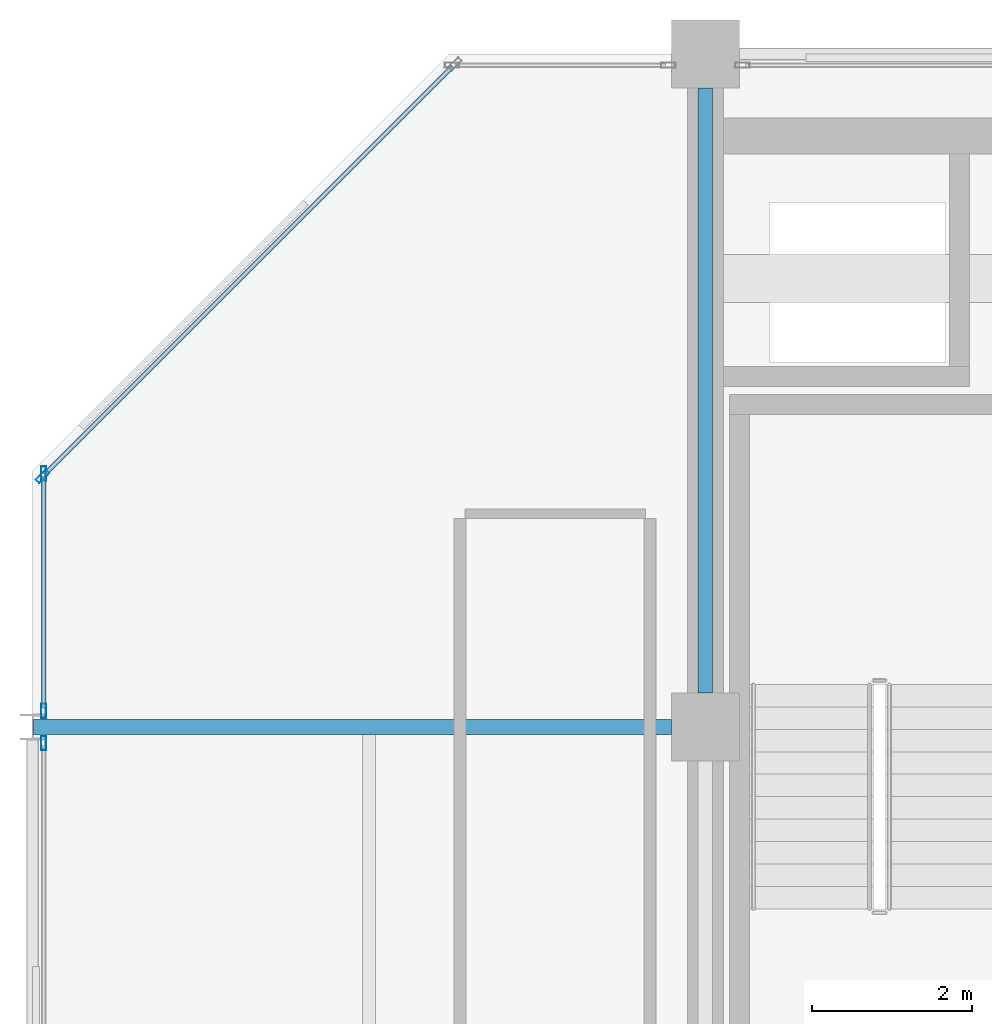
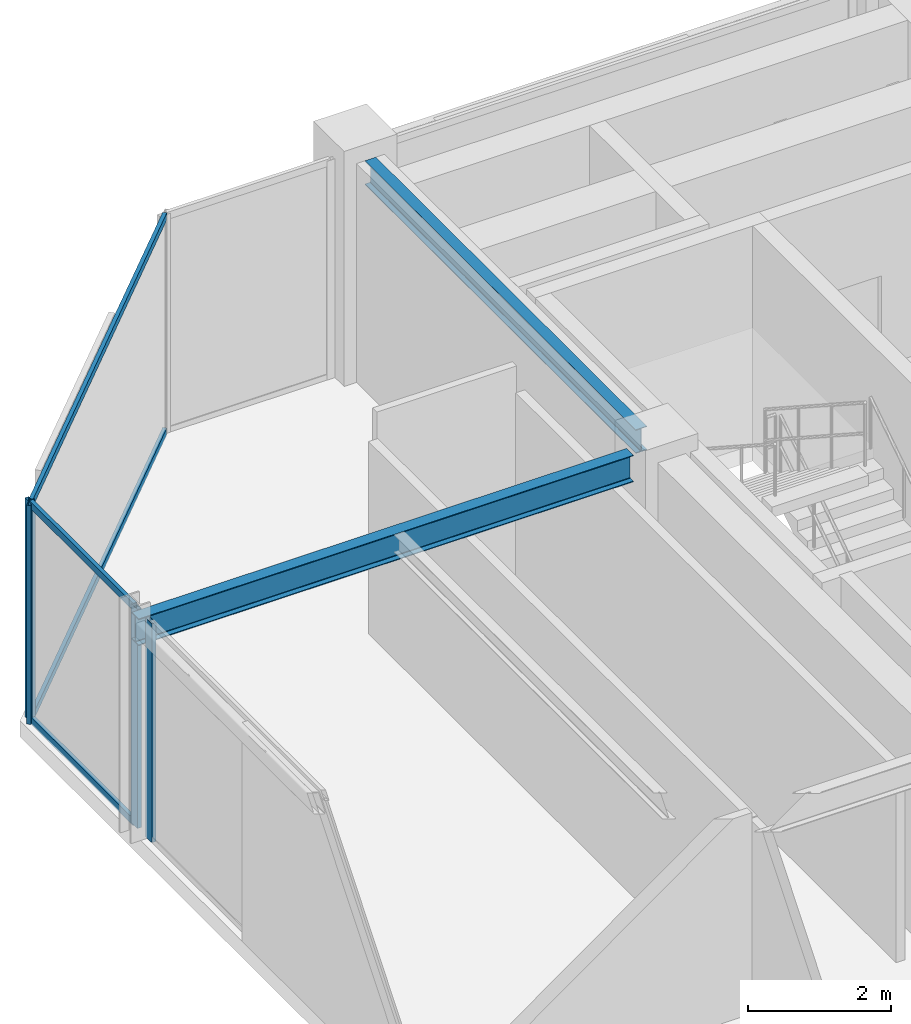
# One storey, part 17 of 26: 8 members, 2 beams, 3 elements without a shape of their own.
"""IFC4 building model written with IfcOpenShell, lengths in metres."""

from ifc_helpers import new_model, si_unit, direction, frame, origin, origin_2d, place, context, subcontext, project, spatial, hollow_rectangle, i_section, extrude, material, layer, layer_set, material_profile, profile_set, type_object, element, aggregate, save


model = new_model("IFC4")

# Units and contexts
model_context = context("Model", 3, precision=1e-05, world=origin(), true_north=direction((0.0, 1.0)))
body_context = subcontext(model_context, "Body", "Model", "MODEL_VIEW")
ifc_project = project(units=[si_unit("LENGTHUNIT", "METRE"), si_unit("AREAUNIT", "SQUARE_METRE"), si_unit("VOLUMEUNIT", "CUBIC_METRE"), si_unit("PLANEANGLEUNIT", "RADIAN"), si_unit("MASSUNIT", "GRAM", prefix="KILO")], contexts=[model_context])

# Site, building, storey
site_placement = place(None, origin())
site = spatial("IfcSite", under=ifc_project, at=site_placement, CompositionType="ELEMENT")
building_placement = place(site_placement, origin())
building = spatial("IfcBuilding", under=site, at=building_placement, Name="Nerrivon Quay Data Exchange", CompositionType="ELEMENT")
storey_placement = place(building_placement, frame((0.0, 0.0, 262.199951171875)))
storey = spatial("IfcBuildingStorey", under=building, at=storey_placement, Name="L62", CompositionType="ELEMENT", Elevation=262.199951171875)

# Beams
ifc_material_1 = material(Name="Steel Grade 350", Category="steel")
ifc_material_profile_1 = material_profile(ifc_material_1, i_section(OverallWidth=0.18994140625, OverallDepth=0.4541015625, WebThickness=0.008544921875, FlangeThickness=0.0126953125, FilletRadius=0.011474609375, at=origin_2d()), Name="460UB67.1")
ifc_profile_set_1 = profile_set([ifc_material_profile_1], Name="Steel Grade 350")
beam_type_1 = type_object("IfcBeamType", Name="BM-G6-460UB67", PredefinedType="BEAM", material=ifc_profile_set_1)
beam_1_placement = place(storey_placement, frame((0.0078125, 33.60009765625, 3.498046875), z_axis=(1.0, 0.0, 0.0), x_axis=(0.0, 1.0, 0.0)))
element("IfcBeam", 1, at=beam_1_placement, inside=storey, type_object=beam_type_1, Name="L62 EW Girder Y=33.6 (0.0..8.4)", PredefinedType="BEAM", context=body_context, shape_type="SweptSolid", body=[
    extrude(i_section(OverallWidth=0.18994140625, OverallDepth=0.4541015625, WebThickness=0.008544921875, FlangeThickness=0.0126953125, FilletRadius=0.011474609375, at=origin_2d()), origin(), (0.0, 0.0, 1.0), 7.96728515625),
])
ifc_material_profile_2 = material_profile(ifc_material_1, i_section(OverallWidth=0.177978515625, OverallDepth=0.406005859375, WebThickness=0.0078125, FlangeThickness=0.0126953125, FilletRadius=0.011474609375, at=origin_2d()), Name="410UB59.7")
ifc_profile_set_2 = profile_set([ifc_material_profile_2], Name="Steel Grade 350")
beam_type_2 = type_object("IfcBeamType", Name="BM-J1-410UB60", PredefinedType="JOIST", material=ifc_profile_set_2)
beam_2_placement = place(storey_placement, frame((8.39990234375, 34.02490234375, 3.52197265625), z_axis=(0.0, 1.0, 0.0), x_axis=(-1.0, 0.0, 0.0)))
element("IfcBeam", 2, at=beam_2_placement, inside=storey, type_object=beam_type_2, Name="L62 NS Girder X=8.4 (33.6..42.0)", PredefinedType="JOIST", context=body_context, shape_type="SweptSolid", body=[
    extrude(i_section(OverallWidth=0.177978515625, OverallDepth=0.406005859375, WebThickness=0.0078125, FlangeThickness=0.0126953125, FilletRadius=0.011474609375, at=origin_2d()), origin(), (0.0, 0.0, 1.0), 7.550048828125),
])

# Curtain wall, member
ifc_material_2 = material(Name="Anodised aluminium 6063-T6", Category="aluminium")
ifc_layer = layer(ifc_material_2, 0.195068359375)
ifc_layer_set = layer_set([ifc_layer], Name="Anodised aluminium 6063-T6")
curtain_wall_type = type_object("IfcCurtainWallType", Name="CW-SYS-06", PredefinedType="NOTDEFINED", material=ifc_layer_set)
curtain_wall_1_placement = place(storey_placement, origin())
curtain_wall_1 = element("IfcCurtainWall", 3, at=curtain_wall_1_placement, inside=storey, type_object=curtain_wall_type, Name="L62 Unitised Curtain Wall 14", PredefinedType="NOTDEFINED")
ifc_material_profile_3 = material_profile(ifc_material_2, hollow_rectangle(XDim=0.06494140625, YDim=0.179931640625, WallThickness=0.00341796875, at=origin_2d()), Name="ALU-MULL-180x65")
ifc_profile_set_3 = profile_set([ifc_material_profile_3], Name="Anodised aluminium 6063-T6")
member_type_1 = type_object("IfcMemberType", Name="CWM-180x65", PredefinedType="MULLION", material=ifc_profile_set_3)
member_1_placement = place(storey_placement, frame((0.139892578125, 33.39892578125, 0.0), z_axis=(0.0, 0.0, 1.0), x_axis=(-1.0, 0.0, 0.0)))
member_1 = element("IfcMember", 4, at=member_1_placement, type_object=member_type_1, Name="CW06 mullion 2", PredefinedType="MULLION", context=body_context, shape_type="SweptSolid", body=[
    extrude(hollow_rectangle(XDim=0.06494140625, YDim=0.179931640625, WallThickness=0.00341796875, at=origin_2d()), origin(), (0.0, 0.0, 1.0), 3.72509765625),
])
aggregate(curtain_wall_1, [member_1])

# Curtain wall, members
curtain_wall_2_placement = place(storey_placement, origin())
curtain_wall_2 = element("IfcCurtainWall", 5, at=curtain_wall_2_placement, inside=storey, type_object=curtain_wall_type, Name="L62 Unitised Curtain Wall 15", PredefinedType="NOTDEFINED")
member_2_placement = place(storey_placement, frame((0.139892578125, 33.801025390625, 0.0), z_axis=(0.0, 0.0, 1.0), x_axis=(-1.0, 0.0, 0.0)))
member_2 = element("IfcMember", 6, at=member_2_placement, type_object=member_type_1, Name="CW06 mullion 1", PredefinedType="MULLION", context=body_context, shape_type="SweptSolid", body=[
    extrude(hollow_rectangle(XDim=0.06494140625, YDim=0.179931640625, WallThickness=0.00341796875, at=origin_2d()), origin(), (0.0, 0.0, 1.0), 3.72509765625),
])
member_3_placement = place(storey_placement, frame((0.139892578125, 36.762451171875, 0.0), z_axis=(0.0, 0.0, 1.0), x_axis=(-1.0, 0.0, 0.0)))
member_3 = element("IfcMember", 7, at=member_3_placement, type_object=member_type_1, Name="CW06 mullion 2", PredefinedType="MULLION", context=body_context, shape_type="SweptSolid", body=[
    extrude(hollow_rectangle(XDim=0.06494140625, YDim=0.179931640625, WallThickness=0.00341796875, at=origin_2d()), origin(), (0.0, 0.0, 1.0), 3.72509765625),
])

# Curtain wall, member
curtain_wall_3_placement = place(storey_placement, origin())
curtain_wall_3 = element("IfcCurtainWall", 8, at=curtain_wall_3_placement, inside=storey, type_object=curtain_wall_type, Name="L62 Unitised Curtain Wall 16", PredefinedType="NOTDEFINED")
member_4_placement = place(storey_placement, frame((0.12548828125, 36.7275390625, 0.0), z_axis=(0.0, 0.0, 1.0), x_axis=(-0.707106781187, 0.707106781187, 0.0)))
member_4 = element("IfcMember", 9, at=member_4_placement, type_object=member_type_1, Name="CW06 mullion 1", PredefinedType="MULLION", context=body_context, shape_type="SweptSolid", body=[
    extrude(hollow_rectangle(XDim=0.06494140625, YDim=0.179931640625, WallThickness=0.00341796875, at=origin_2d()), origin(), (0.0, 0.0, 1.0), 3.72509765625),
])

# Member
ifc_material_profile_4 = material_profile(ifc_material_2, hollow_rectangle(XDim=0.06005859375, YDim=0.1201171875, WallThickness=0.003173828125, at=origin_2d()), Name="ALU-TRAN-120x60")
ifc_profile_set_4 = profile_set([ifc_material_profile_4], Name="Anodised aluminium 6063-T6")
member_type_2 = type_object("IfcMemberType", Name="CWT-120x60", PredefinedType="USERDEFINED", material=ifc_profile_set_4)
member_5_placement = place(storey_placement, frame((0.139892578125, 33.83837890625, 0.032470703125), z_axis=(0.0, 1.0, 0.0), x_axis=(-1.0, 0.0, 0.0)))
member_5 = element("IfcMember", 10, at=member_5_placement, type_object=member_type_2, Name="CW06 transom 1.1", ObjectType="TRANSOM", PredefinedType="USERDEFINED", context=body_context, shape_type="SweptSolid", body=[
    extrude(hollow_rectangle(XDim=0.06005859375, YDim=0.1201171875, WallThickness=0.003173828125, at=origin_2d()), origin(), (0.0, 0.0, 1.0), 2.88671875),
])

member_6_placement = place(storey_placement, frame((0.139892578125, 33.83837890625, 3.692626953125), z_axis=(0.0, 1.0, 0.0), x_axis=(-1.0, 0.0, 0.0)))
member_6 = element("IfcMember", 11, at=member_6_placement, type_object=member_type_2, Name="CW06 transom 1.2", ObjectType="TRANSOM", PredefinedType="USERDEFINED", context=body_context, shape_type="SweptSolid", body=[
    extrude(hollow_rectangle(XDim=0.06005859375, YDim=0.1201171875, WallThickness=0.003173828125, at=origin_2d()), origin(), (0.0, 0.0, 1.0), 2.88671875),
])

aggregate(curtain_wall_2, [member_2, member_3, member_5, member_6])

member_7_placement = place(storey_placement, frame((0.152099609375, 36.754150390625, 0.032470703125), z_axis=(0.707106781187, 0.707106781187, 0.0), x_axis=(-0.707106781187, 0.707106781187, 0.0)))
member_7 = element("IfcMember", 12, at=member_7_placement, type_object=member_type_2, Name="CW06 transom 1.1", ObjectType="TRANSOM", PredefinedType="USERDEFINED", context=body_context, shape_type="SweptSolid", body=[
    extrude(hollow_rectangle(XDim=0.06005859375, YDim=0.1201171875, WallThickness=0.003173828125, at=origin_2d()), origin(), (0.0, 0.0, 1.0), 7.20361328125),
])

member_8_placement = place(storey_placement, frame((0.152099609375, 36.754150390625, 3.692626953125), z_axis=(0.707106781187, 0.707106781187, 0.0), x_axis=(-0.707106781187, 0.707106781187, 0.0)))
member_8 = element("IfcMember", 13, at=member_8_placement, type_object=member_type_2, Name="CW06 transom 1.2", ObjectType="TRANSOM", PredefinedType="USERDEFINED", context=body_context, shape_type="SweptSolid", body=[
    extrude(hollow_rectangle(XDim=0.06005859375, YDim=0.1201171875, WallThickness=0.003173828125, at=origin_2d()), origin(), (0.0, 0.0, 1.0), 7.20361328125),
])

aggregate(curtain_wall_3, [member_4, member_7, member_8])

save(model, "model.ifc")
